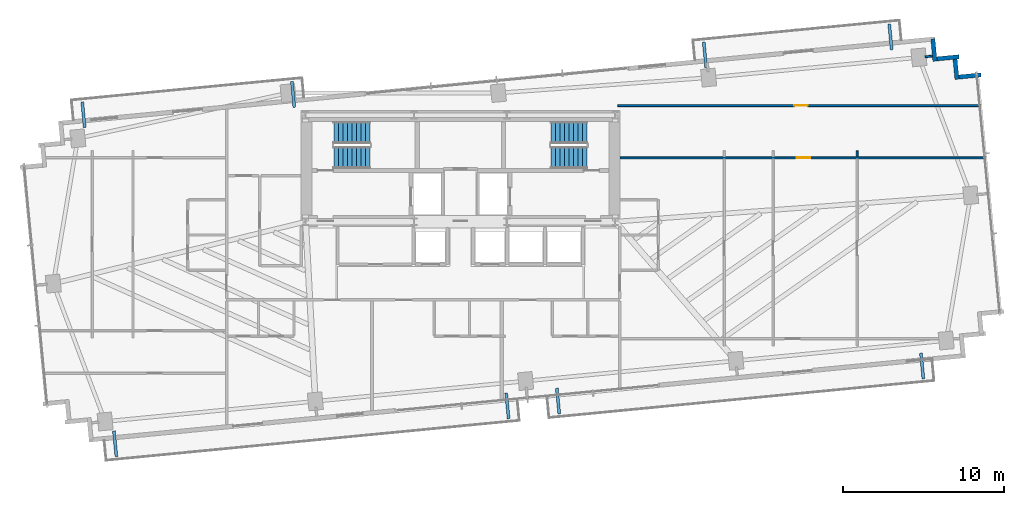
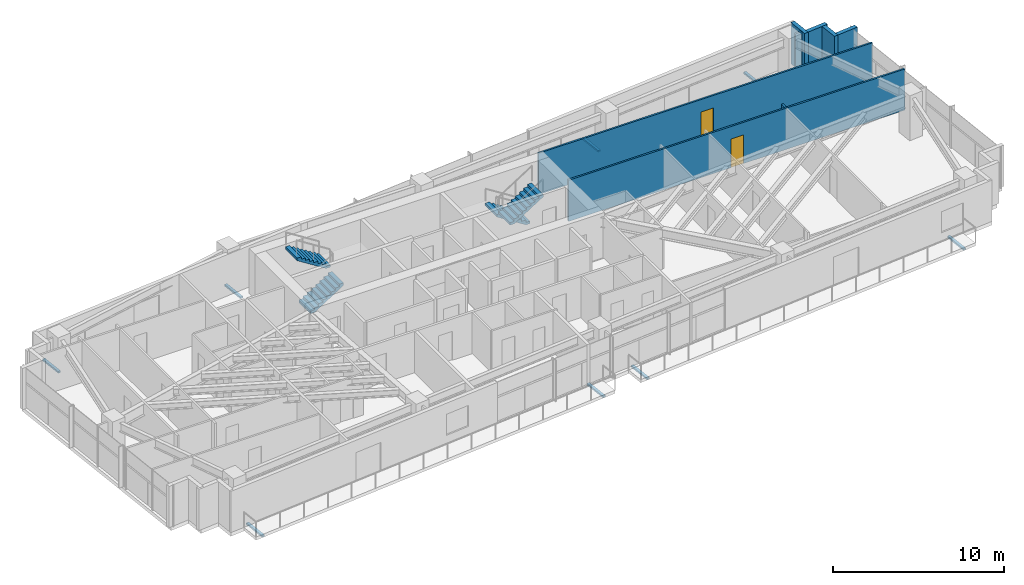
# One storey, part 22 of 25: 8 discrete accessories, 8 walls, 4 stair flights, 2 doors, 2 openings, 2 elements without a shape of their own.
"""IFC4 building model written with IfcOpenShell, lengths in metres."""

from ifc_helpers import new_model, si_unit, direction, frame, frame_2d, origin, origin_2d, place, context, subcontext, project, spatial, polyline, rectangle, outline, extrude, source, transform, mapped, material, layer, layer_set, type_object, type_shapes, element, fill, aggregate, save


model = new_model("IFC4")

# Units and contexts
model_context = context("Model", 3, precision=1e-05, world=origin(), true_north=direction((0.0, 1.0)))
body_context = subcontext(model_context, "Body", "Model", "MODEL_VIEW")
ifc_project = project(units=[si_unit("LENGTHUNIT", "METRE"), si_unit("AREAUNIT", "SQUARE_METRE"), si_unit("VOLUMEUNIT", "CUBIC_METRE"), si_unit("PLANEANGLEUNIT", "RADIAN"), si_unit("MASSUNIT", "GRAM", prefix="KILO")], contexts=[model_context])

# Site, building, storey
site_placement = place(None, origin())
site = spatial("IfcSite", under=ifc_project, at=site_placement, CompositionType="ELEMENT")
building_placement = place(site_placement, origin())
building = spatial("IfcBuilding", under=site, at=building_placement, Name="Astriad Promenade Condominiums", CompositionType="ELEMENT")
storey_placement = place(building_placement, frame((0.0, 0.0, 106.60009765625)))
storey = spatial("IfcBuildingStorey", under=building, at=storey_placement, Name="L30", CompositionType="ELEMENT", Elevation=106.60009765625)

# Walls
ifc_material_1 = material(Name="Precast concrete C50/60", Category="concrete")
ifc_layer_1 = layer(ifc_material_1, 0.260009765625)
ifc_layer_set_1 = layer_set([ifc_layer_1], Name="Precast concrete C50/60")
wall_type_1 = type_object("IfcWallType", Name="WALL-EXT-TWR-260", PredefinedType="STANDARD", material=ifc_layer_set_1)
for number, where, z_axis, x_axis, name in (
    (1, (65.297607421875, 28.74365234375, 0.0), (0.0, 0.0, 1.0), (0.095725744959, -0.99540774648, 0.0), "W-SER-L30-09"),
    (2, (65.533203125, 27.49560546875, 0.0), (0.0, 0.0, 1.0), (0.99540774648, 0.095725744959, 0.0), "W-SER-L30-10"),
):
    element("IfcWall", number, at=place(storey_placement, frame(where, z_axis=z_axis, x_axis=x_axis)), inside=storey, type_object=wall_type_1, Name=name, PredefinedType="STANDARD", context=body_context, shape_type="SweptSolid", body=[
        extrude(rectangle(XDim=1.39501953125, YDim=0.260009765625, at=frame_2d((0.697509765625, 0.0))), origin(), (0.0, 0.0, 1.0), 2.93994140625),
    ])
wall_1_placement = place(storey_placement, frame((66.66162109375, 27.619140625, 0.0), z_axis=(0.0, 0.0, 1.0), x_axis=(0.095742423056, -0.99540614245, 0.0)))
element("IfcWall", 3, at=wall_1_placement, inside=storey, type_object=wall_type_1, Name="W-SER-L30-11", PredefinedType="STANDARD", context=body_context, shape_type="SweptSolid", body=[
    extrude(rectangle(XDim=1.394775390625, YDim=0.260009765625, at=frame_2d((0.697265625, 0.0))), origin(), (0.0, 0.0, 1.0), 2.93994140625),
])
wall_2_placement = place(storey_placement, frame((66.897216796875, 26.37109375, 0.0), z_axis=(0.0, 0.0, 1.0), x_axis=(0.995391056452, 0.09589913835, 0.0)))
element("IfcWall", 4, at=wall_2_placement, inside=storey, type_object=wall_type_1, Name="W-SER-L30-12", PredefinedType="STANDARD", context=body_context, shape_type="SweptSolid", body=[
    extrude(rectangle(XDim=1.39501953125, YDim=0.260009765625, at=frame_2d((0.697509765625, 0.0))), origin(), (0.0, 0.0, 1.0), 2.93994140625),
])

# Wall, opening, door
ifc_material_2 = material(Name="Acoustic Metal-Stud Gypsum Partition")
ifc_layer_2 = layer(ifc_material_2, 0.1201171875)
ifc_layer_set_2 = layer_set([ifc_layer_2], Name="Acoustic Metal-Stud Gypsum Partition")
wall_type_2 = type_object("IfcWallType", Name="WALL-PART-120", PredefinedType="PARTITIONING", material=ifc_layer_set_2)
wall_3_placement = place(storey_placement, frame((45.760009765625, 24.60498046875, 0.0), z_axis=(0.0, 0.0, 1.0), x_axis=(1.0, 0.0, 0.0)))
wall_3 = element("IfcWall", 5, at=wall_3_placement, inside=storey, type_object=wall_type_2, Name="PT-L30-E1-WDN1", PredefinedType="PARTITIONING", context=body_context, shape_type="SweptSolid", body=[
    extrude(rectangle(XDim=22.497802734375, YDim=0.1201171875, at=frame_2d((11.2490234375, 0.0))), origin(), (0.0, 0.0, 1.0), 2.93994140625),
])
opening_1_placement = place(wall_3_placement, frame((10.930908203125, 0.0, 0.0)))
opening_1 = element("IfcOpeningElement", 6, at=opening_1_placement, cuts=wall_3, Name="Opening D-INT-085", PredefinedType="OPENING", context=body_context, shape_type="SweptSolid", body=[
    extrude(rectangle(XDim=0.85009765625, YDim=2.050048828125, at=frame_2d((0.425048828125, 1.02490234375))), frame((0.0, 0.070068359375, 0.0), z_axis=(0.0, -1.0, 0.0), x_axis=(1.0, 0.0, 0.0)), (0.0, 0.0, 1.0), 0.14013671875),
])
ifc_material_3 = material(Name="Painted Solid-Core Timber Room Door", Category="wood")
door_type = type_object("IfcDoorType", Name="D-INT-085", OperationType="NOTDEFINED", PredefinedType="DOOR", material=ifc_material_3)
shared_shape_1 = source(origin(), body_context, "Body", "SweptSolid", [
    extrude(rectangle(XDim=0.85009765625, YDim=2.050048828125, at=frame_2d((0.425048828125, 1.02490234375))), frame((0.0, 0.02490234375, 0.0), z_axis=(0.0, -1.0, 0.0), x_axis=(1.0, 0.0, 0.0)), (0.0, 0.0, 1.0), 0.050048828125),
])
type_shapes(door_type, [shared_shape_1])
door_1_placement = place(opening_1_placement, origin())
door_1 = element("IfcDoor", 7, at=door_1_placement, inside=storey, type_object=door_type, Name="D-WDN1-L30-E1", OperationType="SINGLE_SWING_RIGHT", OverallHeight=2.050048828125, OverallWidth=0.85009765625, PredefinedType="DOOR", context=body_context, shape_type="MappedRepresentation", body=[
    mapped(shared_shape_1, transform((0.0, 0.0, 0.0), scale=1.0)),
])
fill(opening_1, door_1)

wall_4_placement = place(storey_placement, frame((45.902099609375, 21.35791015625, 0.0), z_axis=(0.0, 0.0, 1.0), x_axis=(1.0, 0.0, 0.0)))
wall_4 = element("IfcWall", 8, at=wall_4_placement, inside=storey, type_object=wall_type_2, Name="PT-L30-E1-WDN2", PredefinedType="PARTITIONING", context=body_context, shape_type="SweptSolid", body=[
    extrude(rectangle(XDim=22.668212890625, YDim=0.1201171875, at=frame_2d((11.333984375, 0.0))), origin(), (0.0, 0.0, 1.0), 2.93994140625),
])
opening_2_placement = place(wall_4_placement, frame((10.945068359375, 0.0, 0.0)))
opening_2 = element("IfcOpeningElement", 9, at=opening_2_placement, cuts=wall_4, Name="Opening D-INT-085", PredefinedType="OPENING", context=body_context, shape_type="SweptSolid", body=[
    extrude(rectangle(XDim=0.85009765625, YDim=2.050048828125, at=frame_2d((0.425048828125, 1.02490234375))), frame((0.0, 0.070068359375, 0.0), z_axis=(0.0, -1.0, 0.0), x_axis=(1.0, 0.0, 0.0)), (0.0, 0.0, 1.0), 0.14013671875),
])
door_2_placement = place(opening_2_placement, origin())
door_2 = element("IfcDoor", 10, at=door_2_placement, inside=storey, type_object=door_type, Name="D-WDN2-L30-E1", OperationType="SINGLE_SWING_LEFT", OverallHeight=2.050048828125, OverallWidth=0.85009765625, PredefinedType="DOOR", context=body_context, shape_type="MappedRepresentation", body=[
    mapped(shared_shape_1, transform((0.0, 0.0, 0.0), scale=1.0)),
])
fill(opening_2, door_2)

# Walls
wall_5_placement = place(storey_placement, frame((60.596923828125, 21.419921875, 0.0), z_axis=(0.0, 0.0, 1.0), x_axis=(0.0, 1.0, 0.0)))
element("IfcWall", 11, at=wall_5_placement, inside=storey, type_object=wall_type_2, Name="PT-L30-E1-WDV4-S3", PredefinedType="PARTITIONING", context=body_context, shape_type="SweptSolid", body=[
    extrude(rectangle(XDim=0.378173828125, YDim=0.1201171875, at=frame_2d((0.18896484375, 0.0))), origin(), (0.0, 0.0, 1.0), 2.93994140625),
])
wall_6_placement = place(storey_placement, frame((64.812255859375, 27.626953125, 0.0), z_axis=(0.0, 0.0, 1.0), x_axis=(0.995389482415, 0.095915474751, 0.0)))
element("IfcWall", 12, at=wall_6_placement, inside=storey, type_object=wall_type_2, Name="PT-PIL-L30-PC10-17", PredefinedType="PARTITIONING", context=body_context, shape_type="SweptSolid", body=[
    extrude(rectangle(XDim=0.458251953125, YDim=0.1201171875, at=frame_2d((0.22900390625, 0.0))), origin(), (0.0, 0.0, 1.0), 2.93994140625),
])

# Stair, stair flights
ifc_material_4 = material(Name="Concrete C50/60", Category="concrete")
stair_type = type_object("IfcStairType", Name="STR-CORE-1350", PredefinedType="HALF_TURN_STAIR", material=ifc_material_4)
stair_1_placement = place(storey_placement, origin())
stair_1 = element("IfcStair", 13, at=stair_1_placement, inside=storey, type_object=stair_type, Name="L30 Enclosed Core Exit Stair ST-1", PredefinedType="HALF_TURN_STAIR")
stair_flight_type = type_object("IfcStairFlightType", Name="SFL-CORE-1350", PredefinedType="STRAIGHT", material=ifc_material_4)
shared_shape_2 = source(origin(), body_context, "Body", "SweptSolid", [
    extrude(outline(polyline([(0.0, 0.0), (0.0, 0.177734375), (0.280029296875, 0.177734375), (0.280029296875, 0.35546875), (0.56005859375, 0.35546875), (0.56005859375, 0.533447265625), (0.840087890625, 0.533447265625), (0.840087890625, 0.711181640625), (1.1201171875, 0.711181640625), (1.1201171875, 0.888916015625), (1.39990234375, 0.888916015625), (1.39990234375, 1.066650390625), (1.679931640625, 1.066650390625), (1.679931640625, 1.244384765625), (1.9599609375, 1.244384765625), (1.9599609375, 1.422119140625), (2.239990234375, 1.422119140625), (2.239990234375, 1.60009765625), (2.239990234375, 1.24462890625), (0.27978515625, 0.0), (0.0, 0.0)])), frame((0.0, 0.675048828125, 0.0), z_axis=(0.0, -1.0, 0.0), x_axis=(1.0, 0.0, 0.0)), (0.0, 0.0, 1.0), 1.35009765625),
])
type_shapes(stair_flight_type, [shared_shape_2])
stair_flight_1_placement = place(storey_placement, frame((28.14990234375, 21.375, 0.0), z_axis=(0.0, 0.0, 1.0), x_axis=(1.0, 0.0, 0.0)))
stair_flight_1 = element("IfcStairFlight", 14, at=stair_flight_1_placement, type_object=stair_flight_type, Name="ST-1 flight 1", NumberOfRisers=9, NumberOfTreads=8, PredefinedType="STRAIGHT", RiserHeight=0.177777778, TreadLength=0.28, context=body_context, shape_type="MappedRepresentation", body=[
    mapped(shared_shape_2, transform((0.0, 0.0, 0.0), scale=1.0)),
])
stair_flight_2_placement = place(storey_placement, frame((30.389892578125, 22.925048828125, 1.599853515625), z_axis=(0.0, 0.0, 1.0), x_axis=(-1.0, 0.0, 0.0)))
stair_flight_2 = element("IfcStairFlight", 15, at=stair_flight_2_placement, type_object=stair_flight_type, Name="ST-1 flight 2", NumberOfRisers=9, NumberOfTreads=8, PredefinedType="STRAIGHT", RiserHeight=0.177777778, TreadLength=0.28, context=body_context, shape_type="MappedRepresentation", body=[
    mapped(shared_shape_2, transform((0.0, 0.0, 0.0), scale=1.0)),
])
aggregate(stair_1, [stair_flight_1, stair_flight_2])

stair_2_placement = place(storey_placement, origin())
stair_2 = element("IfcStair", 16, at=stair_2_placement, inside=storey, type_object=stair_type, Name="L30 Enclosed Core Exit Stair ST-2", PredefinedType="HALF_TURN_STAIR")
stair_flight_3_placement = place(storey_placement, frame((43.85009765625, 22.925048828125, 0.0), z_axis=(0.0, 0.0, 1.0), x_axis=(-1.0, 0.0, 0.0)))
stair_flight_3 = element("IfcStairFlight", 17, at=stair_flight_3_placement, type_object=stair_flight_type, Name="ST-2 flight 1", NumberOfRisers=9, NumberOfTreads=8, PredefinedType="STRAIGHT", RiserHeight=0.177777778, TreadLength=0.28, context=body_context, shape_type="MappedRepresentation", body=[
    mapped(shared_shape_2, transform((0.0, 0.0, 0.0), scale=1.0)),
])
stair_flight_4_placement = place(storey_placement, frame((41.610107421875, 21.375, 1.599853515625), z_axis=(0.0, 0.0, 1.0), x_axis=(1.0, 0.0, 0.0)))
stair_flight_4 = element("IfcStairFlight", 18, at=stair_flight_4_placement, type_object=stair_flight_type, Name="ST-2 flight 2", NumberOfRisers=9, NumberOfTreads=8, PredefinedType="STRAIGHT", RiserHeight=0.177777778, TreadLength=0.28, context=body_context, shape_type="MappedRepresentation", body=[
    mapped(shared_shape_2, transform((0.0, 0.0, 0.0), scale=1.0)),
])
aggregate(stair_2, [stair_flight_3, stair_flight_4])

# Discrete accessories
ifc_material_5 = material(Name="Steel ASTM A572 Grade 50", Category="steel")
discrete_accessory_type = type_object("IfcDiscreteAccessoryType", Name="STEEL BALCONY OUTRIGGER BRACKET", PredefinedType="BRACKET", material=ifc_material_5)
shared_shape_3 = source(origin(), body_context, "Body", "SweptSolid", [
    extrude(rectangle(XDim=1.60009765625, YDim=0.179931640625, at=origin_2d()), origin(), (0.0, 0.0, 1.0), 0.1220703125),
])
type_shapes(discrete_accessory_type, [shared_shape_3])
for number, where, z_axis, x_axis, name in (
    (19, (14.58984375, 3.6328125, -0.340087890625), (0.0, 0.0, 1.0), (0.09584575252, -0.995396198367, 0.0), "Balcony Outrigger Bracket BAL-L30-SW-A"),
    (20, (38.915283203125, 5.97509765625, -0.340087890625), (0.0, 0.0, 1.0), (0.09584575252, -0.995396198367, 0.0), "Balcony Outrigger Bracket BAL-L30-SW-B"),
    (21, (42.055908203125, 6.277587890625, -0.340087890625), (0.0, 0.0, 1.0), (0.09584575252, -0.995396198367, 0.0), "Balcony Outrigger Bracket BAL-L30-SE-A"),
    (22, (64.63623046875, 8.451904296875, -0.340087890625), (0.0, 0.0, 1.0), (0.09584575252, -0.995396198367, 0.0), "Balcony Outrigger Bracket BAL-L30-SE-B"),
    (23, (12.625, 24.03857421875, -0.340087890625), (0.0, 0.0, 1.0), (-0.09584575252, 0.995396198367, 0.0), "Balcony Outrigger Bracket BAL-L30-NW-A"),
    (24, (25.625732421875, 25.290283203125, -0.340087890625), (0.0, 0.0, 1.0), (-0.09584575252, 0.995396198367, 0.0), "Balcony Outrigger Bracket BAL-L30-NW-B"),
    (25, (51.167724609375, 27.749755859375, -0.340087890625), (0.0, 0.0, 1.0), (-0.09584575252, 0.995396198367, 0.0), "Balcony Outrigger Bracket BAL-L30-NE-A"),
    (26, (62.67138671875, 28.857421875, -0.340087890625), (0.0, 0.0, 1.0), (-0.09584575252, 0.995396198367, 0.0), "Balcony Outrigger Bracket BAL-L30-NE-B"),
):
    element("IfcDiscreteAccessory", number, at=place(storey_placement, frame(where, z_axis=z_axis, x_axis=x_axis)), inside=storey, type_object=discrete_accessory_type, Name=name, PredefinedType="BRACKET", context=body_context, shape_type="MappedRepresentation", body=[
        mapped(shared_shape_3, transform((0.0, 0.0, 0.0), scale=1.0)),
    ])

save(model, "model.ifc")
